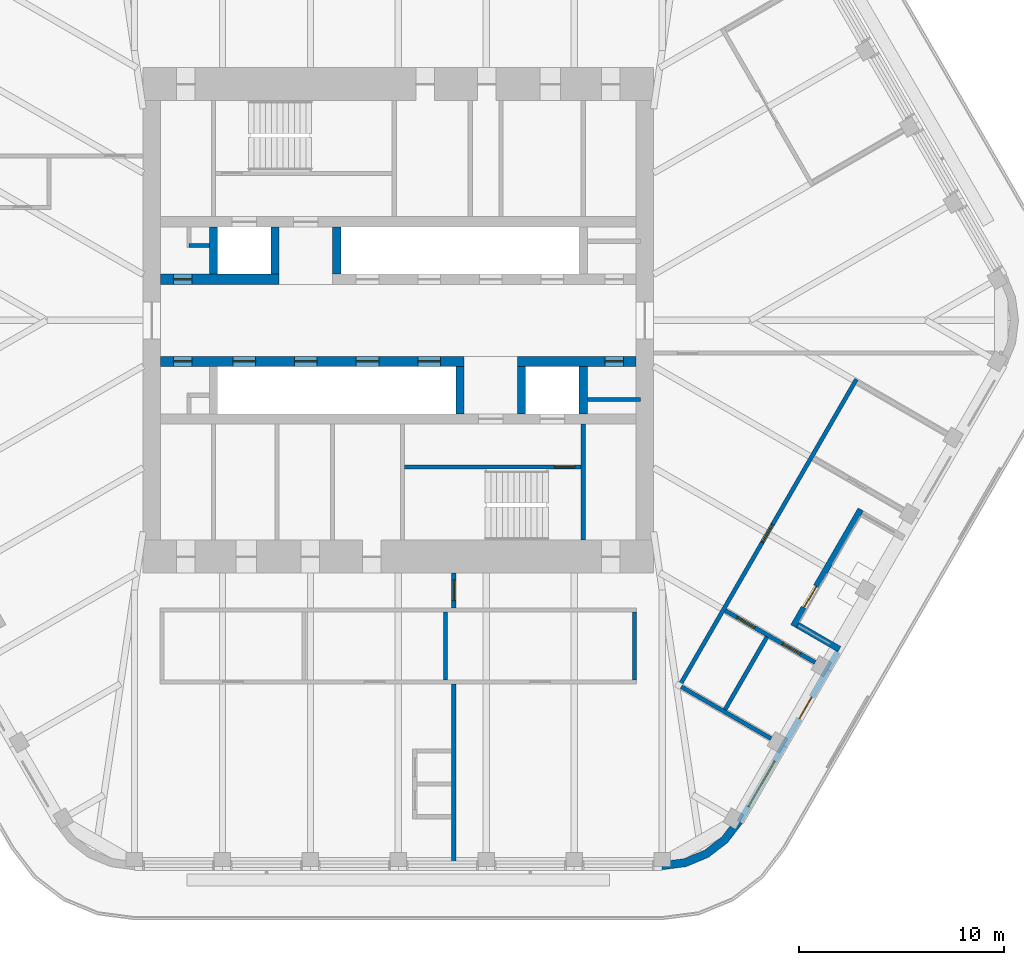
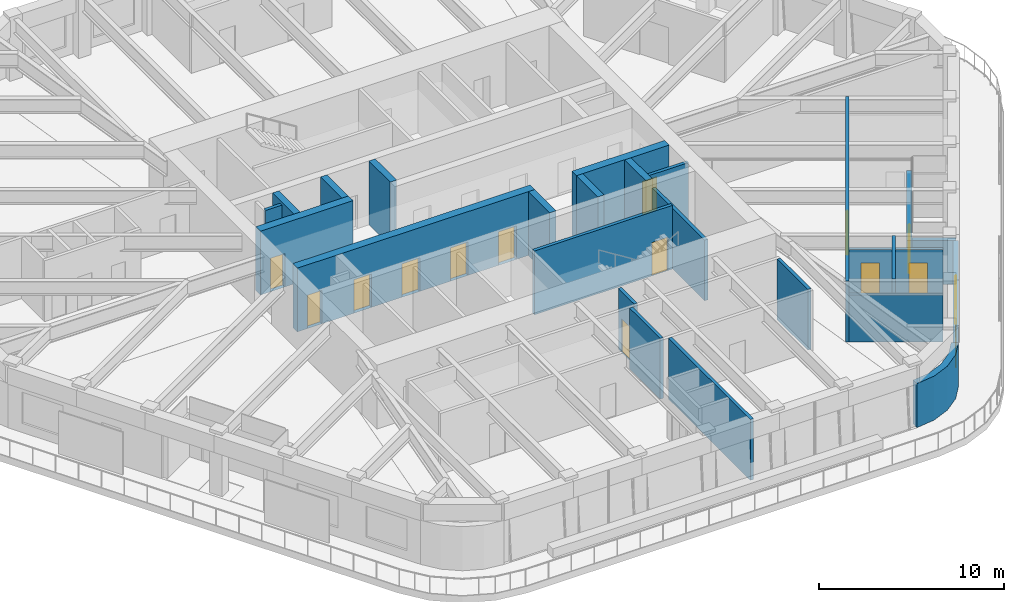
# One storey, part 14 of 20: 25 walls, 14 doors, 1 window, 15 openings.
"""IFC4 building model written with IfcOpenShell, lengths in metres."""

from ifc_helpers import new_model, si_unit, direction, frame, frame_2d, origin, place, context, subcontext, project, spatial, polyline, rectangle, outline, extrude, material, layer, layer_set, type_object, element, fill, save


model = new_model("IFC4")

# Units and contexts
model_context = context("Model", 3, precision=1e-05, world=origin(), true_north=direction((0.0, 1.0)))
body_context = subcontext(model_context, "Body", "Model", "MODEL_VIEW")
ifc_project = project(units=[si_unit("LENGTHUNIT", "METRE"), si_unit("AREAUNIT", "SQUARE_METRE"), si_unit("VOLUMEUNIT", "CUBIC_METRE"), si_unit("PLANEANGLEUNIT", "RADIAN"), si_unit("MASSUNIT", "GRAM", prefix="KILO")], contexts=[model_context])

# Site, building, storey
site_placement = place(None, origin())
site = spatial("IfcSite", under=ifc_project, at=site_placement, CompositionType="ELEMENT")
building_placement = place(site_placement, origin())
building = spatial("IfcBuilding", under=site, at=building_placement, Name="Tarfa Lantern Tower", CompositionType="ELEMENT")
storey_placement = place(building_placement, frame((0.0, 0.0, 382.89990234375)))
storey = spatial("IfcBuildingStorey", under=building, at=storey_placement, Name="L87", CompositionType="ELEMENT", Elevation=382.89990234375)

# Wall, openings, door, window
ifc_material_1 = material(Name="Limestone cladding on blockwork", Category="masonry")
ifc_layer_1 = layer(ifc_material_1, 0.300048828125)
ifc_layer_set_1 = layer_set([ifc_layer_1], Name="EW1 STONE-CLAD WALL 300")
wall_type_1 = type_object("IfcWallType", Name="EW1 STONE-CLAD WALL 300", PredefinedType="SOLIDWALL", material=ifc_layer_set_1)
wall_1_placement = place(storey_placement, frame((16.61328125, -24.425048828125, 0.0), z_axis=(0.0, 0.0, 1.0), x_axis=(0.499996453679, 0.866027451244, 0.0)))
wall_1 = element("IfcWall", 1, at=wall_1_placement, inside=storey, type_object=wall_type_1, Name="Stone wall SE", PredefinedType="SOLIDWALL", context=body_context, shape_type="SweptSolid", body=[
    extrude(rectangle(XDim=9.56396484375, YDim=0.300048828125, at=frame_2d((4.781982421875, 0.0))), origin(), (0.0, 0.0, 1.0), 2.900146484375),
])
opening_1_placement = place(wall_1_placement, frame((0.865966796875, 0.0, 0.60009765625)))
opening_1 = element("IfcOpeningElement", 2, at=opening_1_placement, cuts=wall_1, Name="Opening W17", PredefinedType="OPENING", context=body_context, shape_type="SweptSolid", body=[
    extrude(rectangle(XDim=2.550048828125, YDim=2.050048828125, at=frame_2d((1.27490234375, 1.02490234375))), frame((0.0, 0.159912109375, 0.0), z_axis=(0.0, -1.0, 0.0), x_axis=(1.0, 0.0, 0.0)), (0.0, 0.0, 1.0), 0.320068359375),
])
opening_2_placement = place(wall_1_placement, frame((5.822998046875, 0.0, 0.0)))
opening_2 = element("IfcOpeningElement", 3, at=opening_2_placement, cuts=wall_1, Name="Opening D41", PredefinedType="OPENING", context=body_context, shape_type="SweptSolid", body=[
    extrude(rectangle(XDim=1.199951171875, YDim=2.39990234375, at=frame_2d((0.60009765625, 1.199951171875))), frame((0.0, 0.159912109375, 0.0), z_axis=(0.0, -1.0, 0.0), x_axis=(1.0, 0.0, 0.0)), (0.0, 0.0, 1.0), 0.320068359375),
])
ifc_material_2 = material(Name="Aluminium framed glazed door", Category="aluminium")
door_type_1 = type_object("IfcDoorType", Name="BE3 BALCONY DOOR 1200x2400", OperationType="SINGLE_SWING_RIGHT", PredefinedType="DOOR", material=ifc_material_2)
door_1_placement = place(opening_2_placement, origin())
door_1 = element("IfcDoor", 4, at=door_1_placement, inside=storey, type_object=door_type_1, Name="Balcony door SE", OperationType="SINGLE_SWING_LEFT", OverallHeight=2.39990234375, OverallWidth=1.199951171875, PredefinedType="DOOR", context=body_context, shape_type="SweptSolid", body=[
    extrude(rectangle(XDim=1.199951171875, YDim=2.39990234375, at=frame_2d((0.60009765625, 1.199951171875))), frame((0.0, 0.02490234375, 0.0), z_axis=(0.0, -1.0, 0.0), x_axis=(1.0, 0.0, 0.0)), (0.0, 0.0, 1.0), 0.050048828125),
])
fill(opening_2, door_1)
ifc_material_3 = material(Name="Aluminium frame, double glazed", Category="aluminium")
window_type = type_object("IfcWindowType", Name="W17 FULL-HEIGHT GLAZING 2550x2050", PartitioningType="SINGLE_PANEL", PredefinedType="WINDOW", material=ifc_material_3)
window_placement = place(opening_1_placement, origin())
window = element("IfcWindow", 5, at=window_placement, inside=storey, type_object=window_type, Name="Window SE 1", OverallHeight=2.050048828125, OverallWidth=2.550048828125, PartitioningType="SINGLE_PANEL", PredefinedType="WINDOW", context=body_context, shape_type="SweptSolid", body=[
    extrude(rectangle(XDim=2.550048828125, YDim=2.050048828125, at=frame_2d((1.27490234375, 1.02490234375))), frame((0.0, 0.030029296875, 0.0), z_axis=(0.0, -1.0, 0.0), x_axis=(1.0, 0.0, 0.0)), (0.0, 0.0, 1.0), 0.06005859375),
])
fill(opening_1, window)

# Wall
wall_2_placement = place(storey_placement, frame((21.47021484375, -16.012451171875, 0.0), z_axis=(0.0, 0.0, 1.0), x_axis=(-0.866016039709, 0.500016218704, 0.0)))
element("IfcWall", 6, at=wall_2_placement, inside=storey, type_object=wall_type_1, Name="Terrace return SE 1", PredefinedType="SOLIDWALL", context=body_context, shape_type="SweptSolid", body=[
    extrude(rectangle(XDim=2.35009765625, YDim=0.300048828125, at=frame_2d((1.175048828125, 0.0))), origin(), (0.0, 0.0, 1.0), 2.900146484375),
])

# Wall, opening, door
wall_3_placement = place(storey_placement, frame((19.230224609375, -14.892333984375, 0.0), z_axis=(0.0, 0.0, 1.0), x_axis=(0.499999339774, 0.866025784966, 0.0)))
wall_3 = element("IfcWall", 7, at=wall_3_placement, inside=storey, type_object=wall_type_1, Name="Stone wall SES", PredefinedType="SOLIDWALL", context=body_context, shape_type="SweptSolid", body=[
    extrude(rectangle(XDim=6.56396484375, YDim=0.300048828125, at=frame_2d((3.281982421875, 0.0))), origin(), (0.0, 0.0, 1.0), 2.900146484375),
])
opening_3_placement = place(wall_3_placement, frame((1.041015625, 0.0, 0.0)))
opening_3 = element("IfcOpeningElement", 8, at=opening_3_placement, cuts=wall_3, Name="Opening D42", PredefinedType="OPENING", context=body_context, shape_type="SweptSolid", body=[
    extrude(rectangle(XDim=1.199951171875, YDim=2.39990234375, at=frame_2d((0.60009765625, 1.199951171875))), frame((0.0, 0.159912109375, 0.0), z_axis=(0.0, -1.0, 0.0), x_axis=(1.0, 0.0, 0.0)), (0.0, 0.0, 1.0), 0.320068359375),
])
door_2_placement = place(opening_3_placement, origin())
door_2 = element("IfcDoor", 9, at=door_2_placement, inside=storey, type_object=door_type_1, Name="Balcony door SES", OperationType="SINGLE_SWING_RIGHT", OverallHeight=2.39990234375, OverallWidth=1.199951171875, PredefinedType="DOOR", context=body_context, shape_type="SweptSolid", body=[
    extrude(rectangle(XDim=1.199951171875, YDim=2.39990234375, at=frame_2d((0.60009765625, 1.199951171875))), frame((0.0, 0.02490234375, 0.0), z_axis=(0.0, -1.0, 0.0), x_axis=(1.0, 0.0, 0.0)), (0.0, 0.0, 1.0), 0.050048828125),
])
fill(opening_3, door_2)

# Walls
ifc_layer_2 = layer(ifc_material_1, 0.39990234375)
ifc_layer_set_2 = layer_set([ifc_layer_2], Name="EW2 CURVED STONE CORNER 400")
wall_type_2 = type_object("IfcWallType", Name="EW2 CURVED STONE CORNER 400", PredefinedType="SOLIDWALL", material=ifc_layer_set_2)
wall_4_placement = place(storey_placement, origin())
element("IfcWall", 10, at=wall_4_placement, inside=storey, type_object=wall_type_2, Name="Stone corner S-SE", PredefinedType="SOLIDWALL", context=body_context, shape_type="SweptSolid", body=[
    extrude(outline(polyline([(12.845947265625, -26.75), (14.0107421875, -26.5966796875), (15.095947265625, -26.147216796875), (16.028076171875, -25.431884765625), (16.7431640625, -24.5), (16.396728515625, -24.300048828125), (15.7451171875, -25.149169921875), (14.89599609375, -25.80078125), (13.9072265625, -26.210205078125), (12.845947265625, -26.35009765625), (12.845947265625, -26.75)])), origin(), (0.0, 0.0, 1.0), 2.900146484375),
])
ifc_material_4 = material(Name="Concrete blockwork", Category="masonry")
ifc_layer_3 = layer(ifc_material_4, 0.199951171875)
ifc_layer_set_3 = layer_set([ifc_layer_3], Name="IW1 BLOCKWORK PARTITION 200 EI 120")
wall_type_3 = type_object("IfcWallType", Name="IW1 BLOCKWORK PARTITION 200 EI 120", PredefinedType="PARTITIONING", material=ifc_layer_set_3)
wall_5_placement = place(storey_placement, frame((9.0, -5.050048828125, 0.0), z_axis=(0.0, 0.0, 1.0), x_axis=(0.0, -1.0, 0.0)))
element("IfcWall", 11, at=wall_5_placement, inside=storey, type_object=wall_type_3, Name="Core partition", PredefinedType="PARTITIONING", context=body_context, shape_type="SweptSolid", body=[
    extrude(rectangle(XDim=5.64990234375, YDim=0.199951171875, at=frame_2d((2.824951171875, 0.0))), origin(), (0.0, 0.0, 1.0), 4.0),
])
wall_6_placement = place(storey_placement, frame((-10.199951171875, 3.64990234375, 0.0), z_axis=(0.0, 0.0, 1.0), x_axis=(1.0, 0.0, 0.0)))
element("IfcWall", 12, at=wall_6_placement, inside=storey, type_object=wall_type_3, Name="Core partition", PredefinedType="PARTITIONING", context=body_context, shape_type="SweptSolid", body=[
    extrude(rectangle(XDim=1.0, YDim=0.199951171875, at=frame_2d((0.5, 0.0))), origin(), (0.0, 0.0, 1.0), 4.0),
])
wall_7_placement = place(storey_placement, frame((11.800048828125, -3.85009765625, 0.0), z_axis=(0.0, 0.0, 1.0), x_axis=(-1.0, 0.0, 0.0)))
element("IfcWall", 13, at=wall_7_placement, inside=storey, type_object=wall_type_3, Name="Core partition", PredefinedType="PARTITIONING", context=body_context, shape_type="SweptSolid", body=[
    extrude(rectangle(XDim=2.60009765625, YDim=0.199951171875, at=frame_2d((1.300048828125, 0.0))), origin(), (0.0, 0.0, 1.0), 4.0),
])
ifc_material_5 = material(Name="Gypsum board on steel studs", Category="steel")
ifc_layer_4 = layer(ifc_material_5, 0.2099609375)
ifc_layer_set_4 = layer_set([ifc_layer_4], Name="IW2 ACOUSTIC PARTITION 200")
wall_type_4 = type_object("IfcWallType", Name="IW2 ACOUSTIC PARTITION 200", PredefinedType="PARTITIONING", material=ifc_layer_set_4)
for number, where, z_axis, x_axis, name in (
    (14, (11.5, -14.199951171875, 0.0), (0.0, 0.0, 1.0), (0.0, -1.0, 0.0), "Partition"),
    (15, (2.300048828125, -14.199951171875, 0.0), (0.0, 0.0, 1.0), (0.0, -1.0, 0.0), "Partition"),
):
    element("IfcWall", number, at=place(storey_placement, frame(where, z_axis=z_axis, x_axis=x_axis)), inside=storey, type_object=wall_type_4, Name=name, PredefinedType="PARTITIONING", context=body_context, shape_type="SweptSolid", body=[
        extrude(rectangle(XDim=3.300048828125, YDim=0.199951171875, at=frame_2d((1.64990234375, 0.0))), origin(), (0.0, 0.0, 1.0), 4.0),
    ])

# Wall, opening, door
wall_8_placement = place(storey_placement, frame((13.637939453125, -17.878173828125, 0.0), z_axis=(0.0, 0.0, 1.0), x_axis=(0.500006217173, 0.866021814268, 0.0)))
wall_8 = element("IfcWall", 16, at=wall_8_placement, inside=storey, type_object=wall_type_4, Name="Partition", PredefinedType="PARTITIONING", context=body_context, shape_type="SweptSolid", body=[
    extrude(rectangle(XDim=17.327880859375, YDim=0.199951171875, at=frame_2d((8.6640625, 0.0))), origin(), (0.0, 0.0, 1.0), 4.0),
])
opening_4_placement = place(wall_8_placement, frame((8.1640625, 0.0, 0.0)))
opening_4 = element("IfcOpeningElement", 17, at=opening_4_placement, cuts=wall_8, Name="Opening D24", PredefinedType="OPENING", context=body_context, shape_type="SweptSolid", body=[
    extrude(rectangle(XDim=1.0, YDim=2.199951171875, at=frame_2d((0.5, 1.10009765625))), frame((0.0, 0.10986328125, 0.0), z_axis=(0.0, -1.0, 0.0), x_axis=(1.0, 0.0, 0.0)), (0.0, 0.0, 1.0), 0.219970703125),
])
ifc_material_6 = material(Name="Timber door", Category="wood")
door_type_2 = type_object("IfcDoorType", Name="DR1 ROOM DOOR 1000x2200", OperationType="SINGLE_SWING_LEFT", PredefinedType="DOOR", material=ifc_material_6)
door_3_placement = place(opening_4_placement, frame((1.0, 0.0, 0.0), z_axis=(0.0, 0.0, 1.0), x_axis=(-1.0, 0.0, 0.0)))
door_3 = element("IfcDoor", 18, at=door_3_placement, inside=storey, type_object=door_type_2, Name="PA area door", OperationType="SINGLE_SWING_RIGHT", OverallHeight=2.199951171875, OverallWidth=1.0, PredefinedType="DOOR", context=body_context, shape_type="SweptSolid", body=[
    extrude(rectangle(XDim=1.0, YDim=2.199951171875, at=frame_2d((0.5, 1.10009765625))), frame((0.0, 0.02490234375, 0.0), z_axis=(0.0, -1.0, 0.0), x_axis=(1.0, 0.0, 0.0)), (0.0, 0.0, 1.0), 0.050048828125),
])
fill(opening_4, door_3)

# Wall
wall_9_placement = place(storey_placement, frame((13.774658203125, -17.841552734375, 0.0), z_axis=(0.0, 0.0, 1.0), x_axis=(0.866006046928, -0.500033525561, 0.0)))
element("IfcWall", 19, at=wall_9_placement, inside=storey, type_object=wall_type_4, Name="Partition", PredefinedType="PARTITIONING", context=body_context, shape_type="SweptSolid", body=[
    extrude(rectangle(XDim=5.050048828125, YDim=0.199951171875, at=frame_2d((2.52490234375, 0.0))), origin(), (0.0, 0.0, 1.0), 3.081787109375),
])

# Wall, openings, doors
wall_10_placement = place(storey_placement, frame((15.91552734375, -14.13330078125, 0.0), z_axis=(0.0, 0.0, 1.0), x_axis=(0.866018134068, -0.500012591307, 0.0)))
wall_10 = element("IfcWall", 20, at=wall_10_placement, inside=storey, type_object=wall_type_4, Name="Partition", PredefinedType="PARTITIONING", context=body_context, shape_type="SweptSolid", body=[
    extrude(rectangle(XDim=5.050048828125, YDim=0.199951171875, at=frame_2d((2.52490234375, 0.0))), origin(), (0.0, 0.0, 1.0), 3.081787109375),
])
opening_5_placement = place(wall_10_placement, frame((0.64990234375, 0.0, 0.0)))
opening_5 = element("IfcOpeningElement", 21, at=opening_5_placement, cuts=wall_10, Name="Opening D26", PredefinedType="OPENING", context=body_context, shape_type="SweptSolid", body=[
    extrude(rectangle(XDim=1.0, YDim=2.199951171875, at=frame_2d((0.5, 1.10009765625))), frame((0.0, 0.10986328125, 0.0), z_axis=(0.0, -1.0, 0.0), x_axis=(1.0, 0.0, 0.0)), (0.0, 0.0, 1.0), 0.219970703125),
])
opening_6_placement = place(wall_10_placement, frame((3.22509765625, 0.0, 0.0)))
opening_6 = element("IfcOpeningElement", 22, at=opening_6_placement, cuts=wall_10, Name="Opening D27", PredefinedType="OPENING", context=body_context, shape_type="SweptSolid", body=[
    extrude(rectangle(XDim=1.0, YDim=2.199951171875, at=frame_2d((0.5, 1.10009765625))), frame((0.0, 0.10986328125, 0.0), z_axis=(0.0, -1.0, 0.0), x_axis=(1.0, 0.0, 0.0)), (0.0, 0.0, 1.0), 0.219970703125),
])
door_4_placement = place(opening_5_placement, frame((1.0, 0.0, 0.0), z_axis=(0.0, 0.0, 1.0), x_axis=(-1.0, 0.0, 0.0)))
door_4 = element("IfcDoor", 23, at=door_4_placement, inside=storey, type_object=door_type_2, Name="Meeting room door", OperationType="SINGLE_SWING_LEFT", OverallHeight=2.199951171875, OverallWidth=1.0, PredefinedType="DOOR", context=body_context, shape_type="SweptSolid", body=[
    extrude(rectangle(XDim=1.0, YDim=2.199951171875, at=frame_2d((0.5, 1.10009765625))), frame((0.0, 0.02490234375, 0.0), z_axis=(0.0, -1.0, 0.0), x_axis=(1.0, 0.0, 0.0)), (0.0, 0.0, 1.0), 0.050048828125),
])
fill(opening_5, door_4)
door_5_placement = place(opening_6_placement, frame((1.0, 0.0, 0.0), z_axis=(0.0, 0.0, 1.0), x_axis=(-1.0, 0.0, 0.0)))
door_5 = element("IfcDoor", 24, at=door_5_placement, inside=storey, type_object=door_type_2, Name="Private lounge door", OperationType="SINGLE_SWING_LEFT", OverallHeight=2.199951171875, OverallWidth=1.0, PredefinedType="DOOR", context=body_context, shape_type="SweptSolid", body=[
    extrude(rectangle(XDim=1.0, YDim=2.199951171875, at=frame_2d((0.5, 1.10009765625))), frame((0.0, 0.02490234375, 0.0), z_axis=(0.0, -1.0, 0.0), x_axis=(1.0, 0.0, 0.0)), (0.0, 0.0, 1.0), 0.050048828125),
])
fill(opening_6, door_5)

# Wall
wall_11_placement = place(storey_placement, frame((15.903076171875, -18.955078125, 0.0), z_axis=(0.0, 0.0, 1.0), x_axis=(0.499998569178, 0.866026229868, 0.0)))
element("IfcWall", 25, at=wall_11_placement, inside=storey, type_object=wall_type_4, Name="Partition", PredefinedType="PARTITIONING", context=body_context, shape_type="SweptSolid", body=[
    extrude(rectangle(XDim=4.08203125, YDim=0.199951171875, at=frame_2d((2.041015625, 0.0))), origin(), (0.0, 0.0, 1.0), 4.0),
])

# Wall, opening, door
wall_12_placement = place(storey_placement, frame((2.699951171875, -12.300048828125, 0.0), z_axis=(0.0, 0.0, 1.0), x_axis=(0.0, -1.0, 0.0)))
wall_12 = element("IfcWall", 26, at=wall_12_placement, inside=storey, type_object=wall_type_4, Name="Partition", PredefinedType="PARTITIONING", context=body_context, shape_type="SweptSolid", body=[
    extrude(rectangle(XDim=1.699951171875, YDim=0.199951171875, at=frame_2d((0.85009765625, 0.0))), origin(), (0.0, 0.0, 1.0), 4.0),
])
opening_7_placement = place(wall_12_placement, frame((0.35009765625, 0.0, 0.0)))
opening_7 = element("IfcOpeningElement", 27, at=opening_7_placement, cuts=wall_12, Name="Opening D37", PredefinedType="OPENING", context=body_context, shape_type="SweptSolid", body=[
    extrude(rectangle(XDim=1.0, YDim=2.199951171875, at=frame_2d((0.5, 1.10009765625))), frame((0.0, 0.10986328125, 0.0), z_axis=(0.0, -1.0, 0.0), x_axis=(1.0, 0.0, 0.0)), (0.0, 0.0, 1.0), 0.219970703125),
])
door_6_placement = place(opening_7_placement, origin())
door_6 = element("IfcDoor", 28, at=door_6_placement, inside=storey, type_object=door_type_2, Name="Zone door", OperationType="SINGLE_SWING_LEFT", OverallHeight=2.199951171875, OverallWidth=1.0, PredefinedType="DOOR", context=body_context, shape_type="SweptSolid", body=[
    extrude(rectangle(XDim=1.0, YDim=2.199951171875, at=frame_2d((0.5, 1.10009765625))), frame((0.0, 0.02490234375, 0.0), z_axis=(0.0, -1.0, 0.0), x_axis=(1.0, 0.0, 0.0)), (0.0, 0.0, 1.0), 0.050048828125),
])
fill(opening_7, door_6)

# Wall
wall_13_placement = place(storey_placement, frame((2.699951171875, -17.699951171875, 0.0), z_axis=(0.0, 0.0, 1.0), x_axis=(0.0, -1.0, 0.0)))
element("IfcWall", 29, at=wall_13_placement, inside=storey, type_object=wall_type_4, Name="Partition", PredefinedType="PARTITIONING", context=body_context, shape_type="SweptSolid", body=[
    extrude(rectangle(XDim=8.85009765625, YDim=0.199951171875, at=frame_2d((4.425048828125, 0.0))), origin(), (0.0, 0.0, 1.0), 4.0),
])

# Wall, opening, door
ifc_material_7 = material(Name="Concrete C80/95", Category="concrete")
ifc_layer_5 = layer(ifc_material_7, 0.199951171875)
ifc_layer_set_5 = layer_set([ifc_layer_5], Name="SW12 CORE WALL 200")
wall_type_5 = type_object("IfcWallType", Name="SW12 CORE WALL 200", PredefinedType="SHEAR", material=ifc_layer_set_5)
wall_14_placement = place(storey_placement, frame((8.89990234375, -7.14990234375, 0.0), z_axis=(0.0, 0.0, 1.0), x_axis=(-1.0, 0.0, 0.0)))
wall_14 = element("IfcWall", 30, at=wall_14_placement, inside=storey, type_object=wall_type_5, Name="Core wall stair partition S", PredefinedType="SHEAR", context=body_context, shape_type="SweptSolid", body=[
    extrude(rectangle(XDim=8.599853515625, YDim=0.199951171875, at=frame_2d((4.2998046875, 0.0))), origin(), (0.0, 0.0, 1.0), 4.2001953125),
])
opening_8_placement = place(wall_14_placement, frame((0.300048828125, 0.0, 0.0)))
opening_8 = element("IfcOpeningElement", 31, at=opening_8_placement, cuts=wall_14, Name="Opening D20", PredefinedType="OPENING", context=body_context, shape_type="SweptSolid", body=[
    extrude(rectangle(XDim=1.0, YDim=2.199951171875, at=frame_2d((0.5, 1.10009765625))), frame((0.0, 0.10986328125, 0.0), z_axis=(0.0, -1.0, 0.0), x_axis=(1.0, 0.0, 0.0)), (0.0, 0.0, 1.0), 0.219970703125),
])
ifc_material_8 = material(Name="Steel fire door", Category="steel")
door_type_3 = type_object("IfcDoorType", Name="DF2 STAIR DOOR 1000x2200", OperationType="SINGLE_SWING_LEFT", PredefinedType="DOOR", material=ifc_material_8)
door_7_placement = place(opening_8_placement, origin())
door_7 = element("IfcDoor", 32, at=door_7_placement, inside=storey, type_object=door_type_3, Name="Stair door", OperationType="SINGLE_SWING_RIGHT", OverallHeight=2.199951171875, OverallWidth=1.0, PredefinedType="DOOR", context=body_context, shape_type="SweptSolid", body=[
    extrude(rectangle(XDim=1.0, YDim=2.199951171875, at=frame_2d((0.5, 1.10009765625))), frame((0.0, 0.02490234375, 0.0), z_axis=(0.0, -1.0, 0.0), x_axis=(1.0, 0.0, 0.0)), (0.0, 0.0, 1.0), 0.050048828125),
])
fill(opening_8, door_7)

ifc_layer_6 = layer(ifc_material_7, 0.5)
ifc_layer_set_6 = layer_set([ifc_layer_6], Name="SW5 CORE WALL 500")
wall_type_6 = type_object("IfcWallType", Name="SW5 CORE WALL 500", PredefinedType="SHEAR", material=ifc_layer_set_6)
wall_15_placement = place(storey_placement, frame((-11.574951171875, 2.0, 0.0), z_axis=(0.0, 0.0, 1.0), x_axis=(1.0, 0.0, 0.0)))
wall_15 = element("IfcWall", 33, at=wall_15_placement, inside=storey, type_object=wall_type_6, Name="Core wall lobby west N", PredefinedType="SHEAR", context=body_context, shape_type="SweptSolid", body=[
    extrude(rectangle(XDim=5.77490234375, YDim=0.5, at=frame_2d((2.887451171875, 0.0))), origin(), (0.0, 0.0, 1.0), 4.2001953125),
])
opening_9_placement = place(wall_15_placement, frame((0.625, 0.0, 0.0)))
opening_9 = element("IfcOpeningElement", 34, at=opening_9_placement, cuts=wall_15, Name="Opening D11", PredefinedType="OPENING", context=body_context, shape_type="SweptSolid", body=[
    extrude(rectangle(XDim=0.89990234375, YDim=2.199951171875, at=frame_2d((0.449951171875, 1.10009765625))), frame((0.0, 0.260009765625, 0.0), z_axis=(0.0, -1.0, 0.0), x_axis=(1.0, 0.0, 0.0)), (0.0, 0.0, 1.0), 0.52001953125),
])
door_type_4 = type_object("IfcDoorType", Name="DF6 SERVICE ROOM DOOR 900x2200", OperationType="SINGLE_SWING_LEFT", PredefinedType="DOOR", material=ifc_material_8)
door_8_placement = place(opening_9_placement, origin())
door_8 = element("IfcDoor", 35, at=door_8_placement, inside=storey, type_object=door_type_4, Name="Service room door", OperationType="SINGLE_SWING_RIGHT", OverallHeight=2.199951171875, OverallWidth=0.89990234375, PredefinedType="DOOR", context=body_context, shape_type="SweptSolid", body=[
    extrude(rectangle(XDim=0.89990234375, YDim=2.199951171875, at=frame_2d((0.449951171875, 1.10009765625))), frame((0.0, 0.02490234375, 0.0), z_axis=(0.0, -1.0, 0.0), x_axis=(1.0, 0.0, 0.0)), (0.0, 0.0, 1.0), 0.050048828125),
])
fill(opening_9, door_8)

wall_16_placement = place(storey_placement, frame((11.574951171875, -2.0, 0.0), z_axis=(0.0, 0.0, 1.0), x_axis=(-1.0, 0.0, 0.0)))
wall_16 = element("IfcWall", 36, at=wall_16_placement, inside=storey, type_object=wall_type_6, Name="Core wall lobby west S", PredefinedType="SHEAR", context=body_context, shape_type="SweptSolid", body=[
    extrude(rectangle(XDim=5.77490234375, YDim=0.5, at=frame_2d((2.887451171875, 0.0))), origin(), (0.0, 0.0, 1.0), 4.2001953125),
])
opening_10_placement = place(wall_16_placement, frame((0.625, 0.0, 0.0)))
opening_10 = element("IfcOpeningElement", 37, at=opening_10_placement, cuts=wall_16, Name="Opening D12", PredefinedType="OPENING", context=body_context, shape_type="SweptSolid", body=[
    extrude(rectangle(XDim=0.89990234375, YDim=2.199951171875, at=frame_2d((0.449951171875, 1.10009765625))), frame((0.0, 0.260009765625, 0.0), z_axis=(0.0, -1.0, 0.0), x_axis=(1.0, 0.0, 0.0)), (0.0, 0.0, 1.0), 0.52001953125),
])
door_9_placement = place(opening_10_placement, origin())
door_9 = element("IfcDoor", 38, at=door_9_placement, inside=storey, type_object=door_type_4, Name="Service room door", OperationType="SINGLE_SWING_RIGHT", OverallHeight=2.199951171875, OverallWidth=0.89990234375, PredefinedType="DOOR", context=body_context, shape_type="SweptSolid", body=[
    extrude(rectangle(XDim=0.89990234375, YDim=2.199951171875, at=frame_2d((0.449951171875, 1.10009765625))), frame((0.0, 0.02490234375, 0.0), z_axis=(0.0, -1.0, 0.0), x_axis=(1.0, 0.0, 0.0)), (0.0, 0.0, 1.0), 0.050048828125),
])
fill(opening_10, door_9)

# Wall, openings, doors
wall_17_placement = place(storey_placement, frame((3.199951171875, -2.0, 0.0), z_axis=(0.0, 0.0, 1.0), x_axis=(-1.0, 0.0, 0.0)))
wall_17 = element("IfcWall", 39, at=wall_17_placement, inside=storey, type_object=wall_type_6, Name="Core wall lobby east S", PredefinedType="SHEAR", context=body_context, shape_type="SweptSolid", body=[
    extrude(rectangle(XDim=14.77490234375, YDim=0.5, at=frame_2d((7.387451171875, 0.0))), origin(), (0.0, 0.0, 1.0), 4.2001953125),
])
opening_11_placement = place(wall_17_placement, frame((13.25, 0.0, 0.0)))
opening_11 = element("IfcOpeningElement", 40, at=opening_11_placement, cuts=wall_17, Name="Opening D10", PredefinedType="OPENING", context=body_context, shape_type="SweptSolid", body=[
    extrude(rectangle(XDim=0.89990234375, YDim=2.199951171875, at=frame_2d((0.449951171875, 1.10009765625))), frame((0.0, 0.260009765625, 0.0), z_axis=(0.0, -1.0, 0.0), x_axis=(1.0, 0.0, 0.0)), (0.0, 0.0, 1.0), 0.52001953125),
])
opening_12_placement = place(wall_17_placement, frame((1.14990234375, 0.0, 0.0)))
opening_12 = element("IfcOpeningElement", 41, at=opening_12_placement, cuts=wall_17, Name="Opening LD07", PredefinedType="OPENING", context=body_context, shape_type="SweptSolid", body=[
    extrude(rectangle(XDim=1.10009765625, YDim=2.199951171875, at=frame_2d((0.550048828125, 1.10009765625))), frame((0.0, 0.260009765625, 0.0), z_axis=(0.0, -1.0, 0.0), x_axis=(1.0, 0.0, 0.0)), (0.0, 0.0, 1.0), 0.52001953125),
])
opening_13_placement = place(wall_17_placement, frame((4.14990234375, 0.0, 0.0)))
opening_13 = element("IfcOpeningElement", 42, at=opening_13_placement, cuts=wall_17, Name="Opening LD08", PredefinedType="OPENING", context=body_context, shape_type="SweptSolid", body=[
    extrude(rectangle(XDim=1.10009765625, YDim=2.199951171875, at=frame_2d((0.550048828125, 1.10009765625))), frame((0.0, 0.260009765625, 0.0), z_axis=(0.0, -1.0, 0.0), x_axis=(1.0, 0.0, 0.0)), (0.0, 0.0, 1.0), 0.52001953125),
])
opening_14_placement = place(wall_17_placement, frame((7.14990234375, 0.0, 0.0)))
opening_14 = element("IfcOpeningElement", 43, at=opening_14_placement, cuts=wall_17, Name="Opening LD09", PredefinedType="OPENING", context=body_context, shape_type="SweptSolid", body=[
    extrude(rectangle(XDim=1.10009765625, YDim=2.199951171875, at=frame_2d((0.550048828125, 1.10009765625))), frame((0.0, 0.260009765625, 0.0), z_axis=(0.0, -1.0, 0.0), x_axis=(1.0, 0.0, 0.0)), (0.0, 0.0, 1.0), 0.52001953125),
])
opening_15_placement = place(wall_17_placement, frame((10.14990234375, 0.0, 0.0)))
opening_15 = element("IfcOpeningElement", 44, at=opening_15_placement, cuts=wall_17, Name="Opening LD10", PredefinedType="OPENING", context=body_context, shape_type="SweptSolid", body=[
    extrude(rectangle(XDim=1.10009765625, YDim=2.199951171875, at=frame_2d((0.550048828125, 1.10009765625))), frame((0.0, 0.260009765625, 0.0), z_axis=(0.0, -1.0, 0.0), x_axis=(1.0, 0.0, 0.0)), (0.0, 0.0, 1.0), 0.52001953125),
])
door_10_placement = place(opening_11_placement, origin())
door_10 = element("IfcDoor", 45, at=door_10_placement, inside=storey, type_object=door_type_4, Name="Service room door", OperationType="SINGLE_SWING_LEFT", OverallHeight=2.199951171875, OverallWidth=0.89990234375, PredefinedType="DOOR", context=body_context, shape_type="SweptSolid", body=[
    extrude(rectangle(XDim=0.89990234375, YDim=2.199951171875, at=frame_2d((0.449951171875, 1.10009765625))), frame((0.0, 0.02490234375, 0.0), z_axis=(0.0, -1.0, 0.0), x_axis=(1.0, 0.0, 0.0)), (0.0, 0.0, 1.0), 0.050048828125),
])
fill(opening_11, door_10)
ifc_material_9 = material(Name="Stainless steel lift door", Category="steel")
door_type_5 = type_object("IfcDoorType", Name="LD2 LIFT LANDING DOOR 1100x2200", OperationType="SLIDING_TO_LEFT", PredefinedType="DOOR", material=ifc_material_9)
door_11_placement = place(opening_12_placement, frame((1.10009765625, 0.0, 0.0), z_axis=(0.0, 0.0, 1.0), x_axis=(-1.0, 0.0, 0.0)))
door_11 = element("IfcDoor", 46, at=door_11_placement, inside=storey, type_object=door_type_5, Name="Landing door PD5", OperationType="SLIDING_TO_LEFT", OverallHeight=2.199951171875, OverallWidth=1.10009765625, PredefinedType="DOOR", context=body_context, shape_type="SweptSolid", body=[
    extrude(rectangle(XDim=1.10009765625, YDim=2.199951171875, at=frame_2d((0.550048828125, 1.10009765625))), frame((0.0, 0.02490234375, 0.0), z_axis=(0.0, -1.0, 0.0), x_axis=(1.0, 0.0, 0.0)), (0.0, 0.0, 1.0), 0.050048828125),
])
fill(opening_12, door_11)
door_12_placement = place(opening_13_placement, frame((1.10009765625, 0.0, 0.0), z_axis=(0.0, 0.0, 1.0), x_axis=(-1.0, 0.0, 0.0)))
door_12 = element("IfcDoor", 47, at=door_12_placement, inside=storey, type_object=door_type_5, Name="Landing door PD6", OperationType="SLIDING_TO_LEFT", OverallHeight=2.199951171875, OverallWidth=1.10009765625, PredefinedType="DOOR", context=body_context, shape_type="SweptSolid", body=[
    extrude(rectangle(XDim=1.10009765625, YDim=2.199951171875, at=frame_2d((0.550048828125, 1.10009765625))), frame((0.0, 0.02490234375, 0.0), z_axis=(0.0, -1.0, 0.0), x_axis=(1.0, 0.0, 0.0)), (0.0, 0.0, 1.0), 0.050048828125),
])
fill(opening_13, door_12)
door_13_placement = place(opening_14_placement, frame((1.10009765625, 0.0, 0.0), z_axis=(0.0, 0.0, 1.0), x_axis=(-1.0, 0.0, 0.0)))
door_13 = element("IfcDoor", 48, at=door_13_placement, inside=storey, type_object=door_type_5, Name="Landing door PD7", OperationType="SLIDING_TO_LEFT", OverallHeight=2.199951171875, OverallWidth=1.10009765625, PredefinedType="DOOR", context=body_context, shape_type="SweptSolid", body=[
    extrude(rectangle(XDim=1.10009765625, YDim=2.199951171875, at=frame_2d((0.550048828125, 1.10009765625))), frame((0.0, 0.02490234375, 0.0), z_axis=(0.0, -1.0, 0.0), x_axis=(1.0, 0.0, 0.0)), (0.0, 0.0, 1.0), 0.050048828125),
])
fill(opening_14, door_13)
door_14_placement = place(opening_15_placement, frame((1.10009765625, 0.0, 0.0), z_axis=(0.0, 0.0, 1.0), x_axis=(-1.0, 0.0, 0.0)))
door_14 = element("IfcDoor", 49, at=door_14_placement, inside=storey, type_object=door_type_5, Name="Landing door PD8", OperationType="SLIDING_TO_LEFT", OverallHeight=2.199951171875, OverallWidth=1.10009765625, PredefinedType="DOOR", context=body_context, shape_type="SweptSolid", body=[
    extrude(rectangle(XDim=1.10009765625, YDim=2.199951171875, at=frame_2d((0.550048828125, 1.10009765625))), frame((0.0, 0.02490234375, 0.0), z_axis=(0.0, -1.0, 0.0), x_axis=(1.0, 0.0, 0.0)), (0.0, 0.0, 1.0), 0.050048828125),
])
fill(opening_15, door_14)

# Walls
ifc_layer_7 = layer(ifc_material_7, 0.39990234375)
ifc_layer_set_7 = layer_set([ifc_layer_7], Name="SW6 CORE WALL 400")
wall_type_7 = type_object("IfcWallType", Name="SW6 CORE WALL 400", PredefinedType="SHEAR", material=ifc_layer_set_7)
for number, where, z_axis, x_axis, name in (
    (50, (-9.0, 2.25, 0.0), (0.0, 0.0, 1.0), (0.0, 1.0, 0.0), "Core wall divider N"),
    (51, (-6.0, 2.25, 0.0), (0.0, 0.0, 1.0), (0.0, 1.0, 0.0), "Core wall divider N"),
    (52, (-3.0, 2.25, 0.0), (0.0, 0.0, 1.0), (0.0, 1.0, 0.0), "Core wall divider N"),
    (53, (9.0, -2.25, 0.0), (0.0, 0.0, 1.0), (0.0, -1.0, 0.0), "Core wall divider S"),
    (54, (6.0, -2.25, 0.0), (0.0, 0.0, 1.0), (0.0, -1.0, 0.0), "Core wall divider S"),
    (55, (3.0, -2.25, 0.0), (0.0, 0.0, 1.0), (0.0, -1.0, 0.0), "Core wall divider S"),
):
    element("IfcWall", number, at=place(storey_placement, frame(where, z_axis=z_axis, x_axis=x_axis)), inside=storey, type_object=wall_type_7, Name=name, PredefinedType="SHEAR", context=body_context, shape_type="SweptSolid", body=[
        extrude(rectangle(XDim=2.300048828125, YDim=0.39990234375, at=frame_2d((1.14990234375, 0.0))), origin(), (0.0, 0.0, 1.0), 4.2001953125),
    ])

save(model, "model.ifc")
